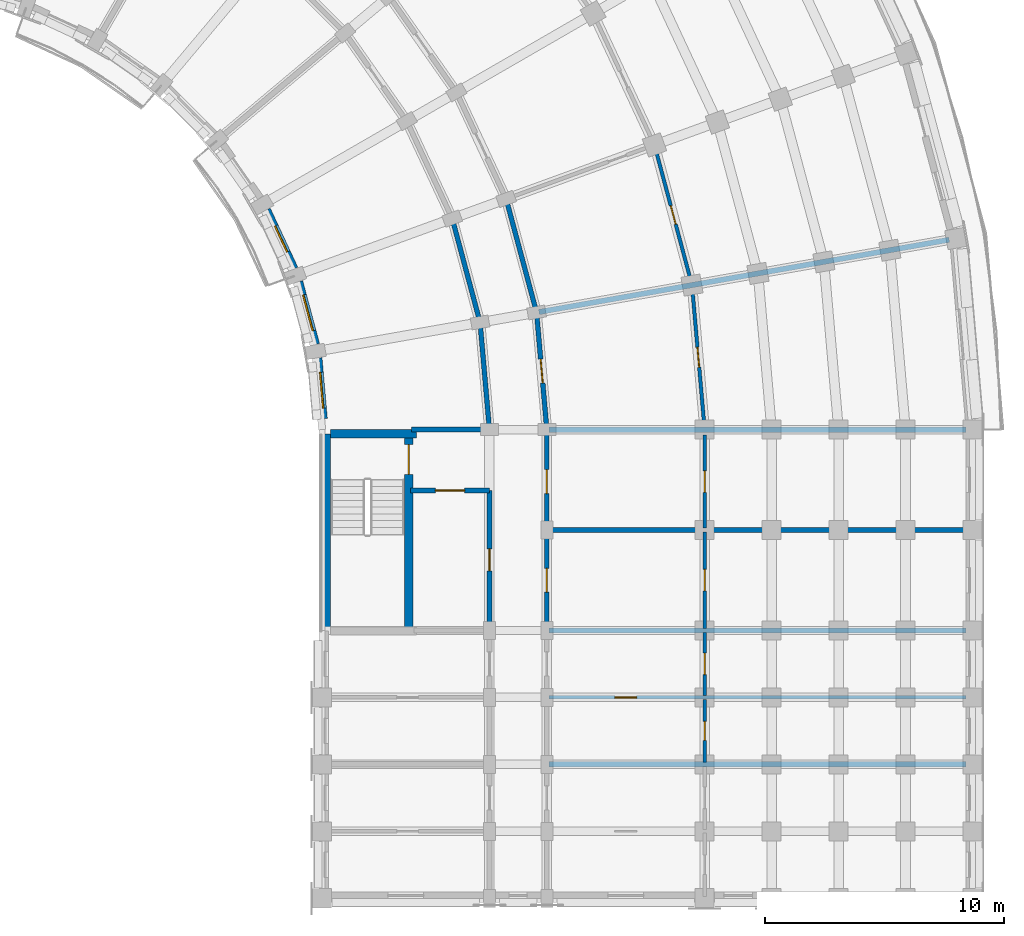
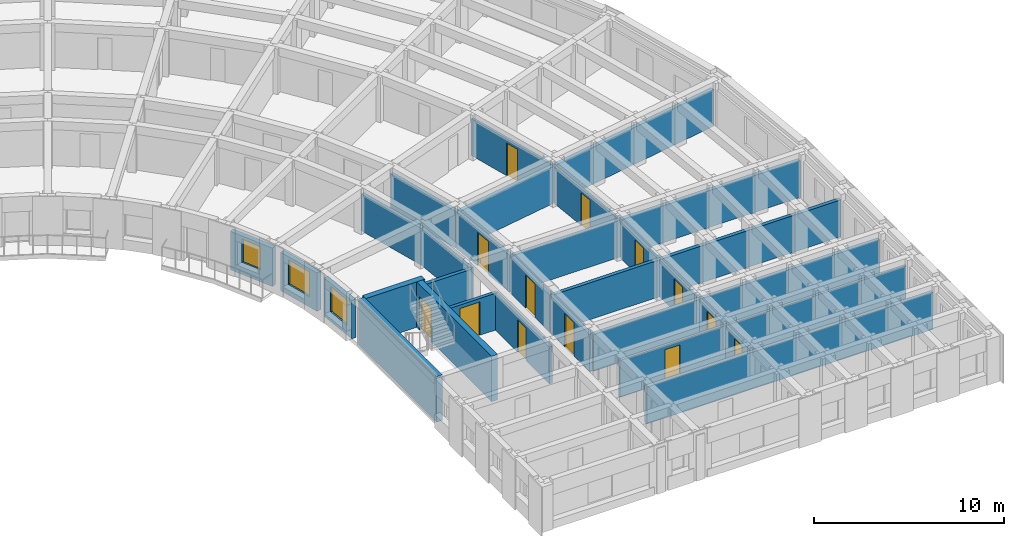
# One storey, part 52 of 76: 27 walls, 13 doors, 3 windows, 16 openings.
"""IFC4 building model written with IfcOpenShell, lengths in metres."""

from ifc_helpers import new_model, si_unit, direction, frame, frame_2d, origin, place, context, subcontext, project, spatial, rectangle, extrude, material, layer, layer_set, type_object, element, fill, save


model = new_model("IFC4")

# Units and contexts
model_context = context("Model", 3, precision=1e-05, world=origin(), true_north=direction((0.0, 1.0)))
body_context = subcontext(model_context, "Body", "Model", "MODEL_VIEW")
ifc_project = project(units=[si_unit("LENGTHUNIT", "METRE"), si_unit("AREAUNIT", "SQUARE_METRE"), si_unit("VOLUMEUNIT", "CUBIC_METRE"), si_unit("PLANEANGLEUNIT", "RADIAN"), si_unit("MASSUNIT", "GRAM", prefix="KILO")], contexts=[model_context])

# Site, building, storey
site_placement = place(None, origin())
site = spatial("IfcSite", under=ifc_project, at=site_placement, CompositionType="ELEMENT")
building_placement = place(site_placement, origin())
building = spatial("IfcBuilding", under=site, at=building_placement, Name="Kiranvali Square Residences", CompositionType="ELEMENT")
storey_placement = place(building_placement, frame((0.0, 0.0, 8.699951171875)))
storey = spatial("IfcBuildingStorey", under=building, at=storey_placement, Name="L02", CompositionType="ELEMENT", Elevation=8.699951171875)

# Wall, opening, door
ifc_material_1 = material(Name="Autoclaved aerated concrete blockwork masonry", Category="masonry")
ifc_layer_1 = layer(ifc_material_1, 0.199951171875)
ifc_layer_set_1 = layer_set([ifc_layer_1], Name="Autoclaved aerated concrete blockwork masonry")
wall_type_1 = type_object("IfcWallType", Name="WL-COR-200", PredefinedType="STANDARD", material=ifc_layer_set_1)
wall_1_placement = place(storey_placement, frame((142.300048828125, 85.25, 0.0), z_axis=(0.0, 0.0, 1.0), x_axis=(1.0, 0.0, 0.0)))
wall_1 = element("IfcWall", 1, at=wall_1_placement, inside=storey, type_object=wall_type_1, Name="L02 architectural wall WL-L02-B-S3-V", PredefinedType="STANDARD", context=body_context, shape_type="SweptSolid", body=[
    extrude(rectangle(XDim=3.300048828125, YDim=0.199951171875, at=frame_2d((1.64990234375, 0.0))), origin(), (0.0, 0.0, 1.0), 2.3720703125),
])
opening_1_placement = place(wall_1_placement, frame((1.0400390625, 0.0, 0.0)))
opening_1 = element("IfcOpeningElement", 2, at=opening_1_placement, cuts=wall_1, Name="Opening FD-COR-60", PredefinedType="OPENING", context=body_context, shape_type="SweptSolid", body=[
    extrude(rectangle(XDim=1.219970703125, YDim=2.14990234375, at=frame_2d((0.60986328125, 1.074951171875))), frame((0.0, 0.10986328125, 0.0), z_axis=(0.0, -1.0, 0.0), x_axis=(1.0, 0.0, 0.0)), (0.0, 0.0, 1.0), 0.219970703125),
])
ifc_material_2 = material(Name="Fire-rated acoustic hardwood and mineral-core door assembly", Category="wood")
door_type_1 = type_object("IfcDoorType", Name="DR-FD60-1200", OperationType="NOTDEFINED", PredefinedType="DOOR", material=ifc_material_2)
door_1_placement = place(opening_1_placement, frame((1.219970703125, 0.0, 0.0), z_axis=(0.0, 0.0, 1.0), x_axis=(-1.0, 0.0, 0.0)))
door_1 = element("IfcDoor", 3, at=door_1_placement, inside=storey, type_object=door_type_1, Name="L02 door DR-L02-1072 (DR-FD60-1200)", OperationType="SINGLE_SWING_RIGHT", OverallHeight=2.14990234375, OverallWidth=1.219970703125, PredefinedType="DOOR", context=body_context, shape_type="SweptSolid", body=[
    extrude(rectangle(XDim=1.219970703125, YDim=2.14990234375, at=frame_2d((0.60986328125, 1.074951171875))), frame((0.0, 0.02490234375, 0.0), z_axis=(0.0, -1.0, 0.0), x_axis=(1.0, 0.0, 0.0)), (0.0, 0.0, 1.0), 0.050048828125),
])
fill(opening_1, door_1)

wall_2_placement = place(storey_placement, frame((145.60009765625, 85.25, 0.0), z_axis=(0.0, 0.0, 1.0), x_axis=(0.0, -1.0, 0.0)))
wall_2 = element("IfcWall", 4, at=wall_2_placement, inside=storey, type_object=wall_type_1, Name="L02 architectural wall WL-L02-B-S3-COR", PredefinedType="STANDARD", context=body_context, shape_type="SweptSolid", body=[
    extrude(rectangle(XDim=5.800048828125, YDim=0.199951171875, at=frame_2d((2.89990234375, 0.0))), origin(), (0.0, 0.0, 1.0), 2.3720703125),
])
opening_2_placement = place(wall_2_placement, frame((2.43994140625, 0.0, 0.0)))
opening_2 = element("IfcOpeningElement", 5, at=opening_2_placement, cuts=wall_2, Name="Opening FD-SVC-120", PredefinedType="OPENING", context=body_context, shape_type="SweptSolid", body=[
    extrude(rectangle(XDim=0.919921875, YDim=2.10009765625, at=frame_2d((0.4599609375, 1.050048828125))), frame((0.0, 0.10986328125, 0.0), z_axis=(0.0, -1.0, 0.0), x_axis=(1.0, 0.0, 0.0)), (0.0, 0.0, 1.0), 0.219970703125),
])
door_type_2 = type_object("IfcDoorType", Name="DR-SVC-900", OperationType="NOTDEFINED", PredefinedType="DOOR", material=ifc_material_2)
door_2_placement = place(opening_2_placement, origin())
door_2 = element("IfcDoor", 6, at=door_2_placement, inside=storey, type_object=door_type_2, Name="L02 door DR-L02-1073 (DR-SVC-900)", OperationType="SINGLE_SWING_LEFT", OverallHeight=2.10009765625, OverallWidth=0.919921875, PredefinedType="DOOR", context=body_context, shape_type="SweptSolid", body=[
    extrude(rectangle(XDim=0.919921875, YDim=2.10009765625, at=frame_2d((0.4599609375, 1.050048828125))), frame((0.0, 0.02490234375, 0.0), z_axis=(0.0, -1.0, 0.0), x_axis=(1.0, 0.0, 0.0)), (0.0, 0.0, 1.0), 0.050048828125),
])
fill(opening_2, door_2)

# Walls
wall_3_placement = place(storey_placement, frame((144.044189453125, 96.6240234375, 0.0), z_axis=(0.0, 0.0, 1.0), x_axis=(0.258787642463, -0.965934240054, 0.0)))
element("IfcWall", 7, at=wall_3_placement, inside=storey, type_object=wall_type_1, Name="L02 architectural wall WL-L02-B-CCI-7", PredefinedType="STANDARD", context=body_context, shape_type="SweptSolid", body=[
    extrude(rectangle(XDim=4.497314453125, YDim=0.199951171875, at=frame_2d((2.24853515625, 0.0))), origin(), (0.0, 0.0, 1.0), 2.3720703125),
])
wall_4_placement = place(storey_placement, frame((146.29931640625, 97.445068359375, 0.0), z_axis=(0.0, 0.0, 1.0), x_axis=(0.258803112091, -0.965930095386, 0.0)))
element("IfcWall", 8, at=wall_4_placement, inside=storey, type_object=wall_type_1, Name="L02 architectural wall WL-L02-B-CCO-7", PredefinedType="STANDARD", context=body_context, shape_type="SweptSolid", body=[
    extrude(rectangle(XDim=4.915771484375, YDim=0.199951171875, at=frame_2d((2.4580078125, 0.0))), origin(), (0.0, 0.0, 1.0), 2.3720703125),
])
wall_5_placement = place(storey_placement, frame((145.2080078125, 92.280029296875, 0.0), z_axis=(0.0, 0.0, 1.0), x_axis=(0.087187153726, -0.996191949488, 0.0)))
element("IfcWall", 9, at=wall_5_placement, inside=storey, type_object=wall_type_1, Name="L02 architectural wall WL-L02-B-CCI-8", PredefinedType="STANDARD", context=body_context, shape_type="SweptSolid", body=[
    extrude(rectangle(XDim=4.4970703125, YDim=0.199951171875, at=frame_2d((2.24853515625, 0.0))), origin(), (0.0, 0.0, 1.0), 2.3720703125),
])

# Wall, opening, door
wall_6_placement = place(storey_placement, frame((147.571533203125, 92.69677734375, 0.0), z_axis=(0.0, 0.0, 1.0), x_axis=(0.087167566415, -0.996193663584, 0.0)))
wall_6 = element("IfcWall", 10, at=wall_6_placement, inside=storey, type_object=wall_type_1, Name="L02 architectural wall WL-L02-B-CCO-8", PredefinedType="STANDARD", context=body_context, shape_type="SweptSolid", body=[
    extrude(rectangle(XDim=4.91552734375, YDim=0.199951171875, at=frame_2d((2.457763671875, 0.0))), origin(), (0.0, 0.0, 1.0), 2.3720703125),
])
opening_3_placement = place(wall_6_placement, frame((1.957763671875, 0.0, 0.0)))
opening_3 = element("IfcOpeningElement", 11, at=opening_3_placement, cuts=wall_6, Name="Opening FD-APT-60", PredefinedType="OPENING", context=body_context, shape_type="SweptSolid", body=[
    extrude(rectangle(XDim=1.0, YDim=2.14990234375, at=frame_2d((0.5, 1.074951171875))), frame((0.0, 0.10986328125, 0.0), z_axis=(0.0, -1.0, 0.0), x_axis=(1.0, 0.0, 0.0)), (0.0, 0.0, 1.0), 0.219970703125),
])
door_type_3 = type_object("IfcDoorType", Name="DR-APT-1000", OperationType="NOTDEFINED", PredefinedType="DOOR", material=ifc_material_2)
door_3_placement = place(opening_3_placement, origin())
door_3 = element("IfcDoor", 12, at=door_3_placement, inside=storey, type_object=door_type_3, Name="L02 door DR-L02-1107 (DR-APT-1000)", OperationType="SINGLE_SWING_LEFT", OverallHeight=2.14990234375, OverallWidth=1.0, PredefinedType="DOOR", context=body_context, shape_type="SweptSolid", body=[
    extrude(rectangle(XDim=1.0, YDim=2.14990234375, at=frame_2d((0.5, 1.074951171875))), frame((0.0, 0.02490234375, 0.0), z_axis=(0.0, -1.0, 0.0), x_axis=(1.0, 0.0, 0.0)), (0.0, 0.0, 1.0), 0.050048828125),
])
fill(opening_3, door_3)

wall_7_placement = place(storey_placement, frame((148.0, 87.64990234375, 0.0), z_axis=(0.0, 0.0, 1.0), x_axis=(0.0, -1.0, 0.0)))
wall_7 = element("IfcWall", 13, at=wall_7_placement, inside=storey, type_object=wall_type_1, Name="L02 architectural wall WL-L02-B-A2CF-C0", PredefinedType="STANDARD", context=body_context, shape_type="SweptSolid", body=[
    extrude(rectangle(XDim=4.0498046875, YDim=0.199951171875, at=frame_2d((2.02490234375, 0.0))), origin(), (0.0, 0.0, 1.0), 2.3720703125),
])
opening_4_placement = place(wall_7_placement, frame((1.52490234375, 0.0, 0.0)))
opening_4 = element("IfcOpeningElement", 14, at=opening_4_placement, cuts=wall_7, Name="Opening FD-APT-60", PredefinedType="OPENING", context=body_context, shape_type="SweptSolid", body=[
    extrude(rectangle(XDim=1.0, YDim=2.14990234375, at=frame_2d((0.5, 1.074951171875))), frame((0.0, 0.10986328125, 0.0), z_axis=(0.0, -1.0, 0.0), x_axis=(1.0, 0.0, 0.0)), (0.0, 0.0, 1.0), 0.219970703125),
])
door_4_placement = place(opening_4_placement, frame((1.0, 0.0, 0.0), z_axis=(0.0, 0.0, 1.0), x_axis=(-1.0, 0.0, 0.0)))
door_4 = element("IfcDoor", 15, at=door_4_placement, inside=storey, type_object=door_type_3, Name="L02 door DR-L02-1112 (DR-APT-1000)", OperationType="SINGLE_SWING_RIGHT", OverallHeight=2.14990234375, OverallWidth=1.0, PredefinedType="DOOR", context=body_context, shape_type="SweptSolid", body=[
    extrude(rectangle(XDim=1.0, YDim=2.14990234375, at=frame_2d((0.5, 1.074951171875))), frame((0.0, 0.02490234375, 0.0), z_axis=(0.0, -1.0, 0.0), x_axis=(1.0, 0.0, 0.0)), (0.0, 0.0, 1.0), 0.050048828125),
])
fill(opening_4, door_4)

wall_8_placement = place(storey_placement, frame((148.0, 83.60009765625, 0.0), z_axis=(0.0, 0.0, 1.0), x_axis=(0.0, -1.0, 0.0)))
wall_8 = element("IfcWall", 16, at=wall_8_placement, inside=storey, type_object=wall_type_1, Name="L02 architectural wall WL-L02-B-A2CF-C1", PredefinedType="STANDARD", context=body_context, shape_type="SweptSolid", body=[
    extrude(rectangle(XDim=4.2001953125, YDim=0.199951171875, at=frame_2d((2.10009765625, 0.0))), origin(), (0.0, 0.0, 1.0), 2.3720703125),
])
opening_5_placement = place(wall_8_placement, frame((1.60009765625, 0.0, 0.0)))
opening_5 = element("IfcOpeningElement", 17, at=opening_5_placement, cuts=wall_8, Name="Opening FD-APT-60", PredefinedType="OPENING", context=body_context, shape_type="SweptSolid", body=[
    extrude(rectangle(XDim=1.0, YDim=2.14990234375, at=frame_2d((0.5, 1.074951171875))), frame((0.0, 0.10986328125, 0.0), z_axis=(0.0, -1.0, 0.0), x_axis=(1.0, 0.0, 0.0)), (0.0, 0.0, 1.0), 0.219970703125),
])
door_5_placement = place(opening_5_placement, frame((1.0, 0.0, 0.0), z_axis=(0.0, 0.0, 1.0), x_axis=(-1.0, 0.0, 0.0)))
door_5 = element("IfcDoor", 18, at=door_5_placement, inside=storey, type_object=door_type_3, Name="L02 door DR-L02-1114 (DR-APT-1000)", OperationType="SINGLE_SWING_RIGHT", OverallHeight=2.14990234375, OverallWidth=1.0, PredefinedType="DOOR", context=body_context, shape_type="SweptSolid", body=[
    extrude(rectangle(XDim=1.0, YDim=2.14990234375, at=frame_2d((0.5, 1.074951171875))), frame((0.0, 0.02490234375, 0.0), z_axis=(0.0, -1.0, 0.0), x_axis=(1.0, 0.0, 0.0)), (0.0, 0.0, 1.0), 0.050048828125),
])
fill(opening_5, door_5)

# Walls
ifc_layer_2 = layer(ifc_material_1, 0.219970703125)
ifc_layer_set_2 = layer_set([ifc_layer_2], Name="Autoclaved aerated concrete blockwork masonry")
wall_type_2 = type_object("IfcWallType", Name="WL-DEM-220", PredefinedType="STANDARD", material=ifc_layer_set_2)
wall_9_placement = place(storey_placement, frame((142.35009765625, 87.800048828125, 0.0), z_axis=(0.0, 0.0, 1.0), x_axis=(1.0, 0.0, 0.0)))
element("IfcWall", 19, at=wall_9_placement, inside=storey, type_object=wall_type_2, Name="L02 architectural wall WL-L02-B-RADI-9", PredefinedType="STANDARD", context=body_context, shape_type="SweptSolid", body=[
    extrude(rectangle(XDim=3.199951171875, YDim=0.219970703125, at=frame_2d((1.60009765625, 0.0))), origin(), (0.0, 0.0, 1.0), 2.3720703125),
])
wall_10_placement = place(storey_placement, frame((148.050048828125, 83.60009765625, 0.0), z_axis=(0.0, 0.0, 1.0), x_axis=(1.0, 0.0, 0.0)))
element("IfcWall", 20, at=wall_10_placement, inside=storey, type_object=wall_type_2, Name="L02 architectural wall WL-L02-B-A2CF-MID", PredefinedType="STANDARD", context=body_context, shape_type="SweptSolid", body=[
    extrude(rectangle(XDim=17.530029296875, YDim=0.219970703125, at=frame_2d((8.76513671875, 0.0))), origin(), (0.0, 0.0, 1.0), 2.3720703125),
])
for number, where, z_axis, x_axis, name in (
    (21, (148.10009765625, 79.39990234375, 0.0), (0.0, 0.0, 1.0), (1.0, 0.0, 0.0), "L02 architectural wall WL-L02-B-A2TO-0"),
    (22, (148.10009765625, 73.800048828125, 0.0), (0.0, 0.0, 1.0), (1.0, 0.0, 0.0), "L02 architectural wall WL-L02-B-A2TO-2"),
):
    element("IfcWall", number, at=place(storey_placement, frame(where, z_axis=z_axis, x_axis=x_axis)), inside=storey, type_object=wall_type_2, Name=name, PredefinedType="STANDARD", context=body_context, shape_type="SweptSolid", body=[
        extrude(rectangle(XDim=17.419921875, YDim=0.219970703125, at=frame_2d((8.7099609375, 0.0))), origin(), (0.0, 0.0, 1.0), 2.3720703125),
    ])
ifc_layer_3 = layer(ifc_material_1, 0.22998046875)
ifc_layer_set_3 = layer_set([ifc_layer_3], Name="Autoclaved aerated concrete blockwork masonry")
wall_type_3 = type_object("IfcWallType", Name="WL-DEM-230", PredefinedType="STANDARD", material=ifc_layer_set_3)
for number, where, z_axis, x_axis, name in (
    (23, (147.670166015625, 92.71435546875, 0.0), (0.0, 0.0, 1.0), (0.984808098809, 0.173646216546, 0.0), "L02 architectural wall WL-L02-B-RADO-8"),
    (24, (148.10009765625, 87.800048828125, 0.0), (0.0, 0.0, 1.0), (1.0, 0.0, 0.0), "L02 architectural wall WL-L02-B-RADO-9"),
):
    element("IfcWall", number, at=place(storey_placement, frame(where, z_axis=z_axis, x_axis=x_axis)), inside=storey, type_object=wall_type_3, Name=name, PredefinedType="STANDARD", context=body_context, shape_type="SweptSolid", body=[
        extrude(rectangle(XDim=17.419921875, YDim=0.22998046875, at=frame_2d((8.7099609375, 0.0))), origin(), (0.0, 0.0, 1.0), 2.3720703125),
    ])

# Wall, opening, window
ifc_material_3 = material(Name="Breathable lime-rendered clay brick masonry", Category="masonry")
ifc_layer_4 = layer(ifc_material_3, 0.27490234375)
ifc_layer_set_4 = layer_set([ifc_layer_4], Name="Breathable lime-rendered clay brick masonry")
wall_type_4 = type_object("IfcWallType", Name="WL-EXT-275", PredefinedType="STANDARD", material=ifc_layer_set_4)
wall_11_placement = place(storey_placement, frame((136.312744140625, 96.999267578125, 0.0), z_axis=(0.0, 0.0, 1.0), x_axis=(0.422610022166, -0.906311629168, 0.0)))
wall_11 = element("IfcWall", 25, at=wall_11_placement, inside=storey, type_object=wall_type_4, Name="L02 exterior wall B-L02-GDN-06", PredefinedType="STANDARD", context=body_context, shape_type="SweptSolid", body=[
    extrude(rectangle(XDim=2.717529296875, YDim=0.27490234375, at=frame_2d((1.35888671875, 0.0))), origin(), (0.0, 0.0, 1.0), 2.47216796875),
])
opening_6_placement = place(wall_11_placement, frame((0.7587890625, 0.0, 0.77197265625)))
opening_6 = element("IfcOpeningElement", 26, at=opening_6_placement, cuts=wall_11, Name="Opening W-06", PredefinedType="OPENING", context=body_context, shape_type="SweptSolid", body=[
    extrude(rectangle(XDim=1.199951171875, YDim=1.5, at=frame_2d((0.60009765625, 0.75))), frame((0.0, 0.1474609375, 0.0), z_axis=(0.0, -1.0, 0.0), x_axis=(1.0, 0.0, 0.0)), (0.0, 0.0, 1.0), 0.294921875),
])
ifc_material_4 = material(Name="Solar-control low-e double glazing", Category="glass")
window_type_1 = type_object("IfcWindowType", Name="WIN-RES-1200x1500", PartitioningType="SINGLE_PANEL", PredefinedType="WINDOW", material=ifc_material_4)
window_1_placement = place(opening_6_placement, origin())
window_1 = element("IfcWindow", 27, at=window_1_placement, inside=storey, type_object=window_type_1, Name="L02 recessed window B-L02-GDN-06", OverallHeight=1.5, OverallWidth=1.199951171875, PartitioningType="SINGLE_PANEL", PredefinedType="WINDOW", context=body_context, shape_type="SweptSolid", body=[
    extrude(rectangle(XDim=1.199951171875, YDim=1.5, at=frame_2d((0.60009765625, 0.75))), frame((0.0, 0.030029296875, 0.0), z_axis=(0.0, -1.0, 0.0), x_axis=(1.0, 0.0, 0.0)), (0.0, 0.0, 1.0), 0.06005859375),
])
fill(opening_6, window_1)

wall_12_placement = place(storey_placement, frame((137.659423828125, 93.9921875, 0.0), z_axis=(0.0, 0.0, 1.0), x_axis=(0.258819907011, -0.965925595341, 0.0)))
wall_12 = element("IfcWall", 28, at=wall_12_placement, inside=storey, type_object=wall_type_4, Name="L02 exterior wall B-L02-GDN-07", PredefinedType="STANDARD", context=body_context, shape_type="SweptSolid", body=[
    extrude(rectangle(XDim=2.717529296875, YDim=0.27490234375, at=frame_2d((1.35888671875, 0.0))), origin(), (0.0, 0.0, 1.0), 2.47216796875),
])
opening_7_placement = place(wall_12_placement, frame((0.583740234375, 0.0, 0.672119140625)))
opening_7 = element("IfcOpeningElement", 29, at=opening_7_placement, cuts=wall_12, Name="Opening W-18", PredefinedType="OPENING", context=body_context, shape_type="SweptSolid", body=[
    extrude(rectangle(XDim=1.550048828125, YDim=1.60009765625, at=frame_2d((0.77490234375, 0.800048828125))), frame((0.0, 0.1474609375, 0.0), z_axis=(0.0, -1.0, 0.0), x_axis=(1.0, 0.0, 0.0)), (0.0, 0.0, 1.0), 0.294921875),
])
window_type_2 = type_object("IfcWindowType", Name="WIN-GDN-1550x1600", PartitioningType="DOUBLE_PANEL_VERTICAL", PredefinedType="WINDOW", material=ifc_material_4)
window_2_placement = place(opening_7_placement, origin())
window_2 = element("IfcWindow", 30, at=window_2_placement, inside=storey, type_object=window_type_2, Name="L02 recessed window B-L02-GDN-07", OverallHeight=1.60009765625, OverallWidth=1.550048828125, PartitioningType="DOUBLE_PANEL_VERTICAL", PredefinedType="WINDOW", context=body_context, shape_type="SweptSolid", body=[
    extrude(rectangle(XDim=1.550048828125, YDim=1.60009765625, at=frame_2d((0.77490234375, 0.800048828125))), frame((0.0, 0.030029296875, 0.0), z_axis=(0.0, -1.0, 0.0), x_axis=(1.0, 0.0, 0.0)), (0.0, 0.0, 1.0), 0.06005859375),
])
fill(opening_7, window_2)

wall_13_placement = place(storey_placement, frame((138.46337890625, 90.796875, 0.0), z_axis=(0.0, 0.0, 1.0), x_axis=(0.08716102895, -0.996194235595, 0.0)))
wall_13 = element("IfcWall", 31, at=wall_13_placement, inside=storey, type_object=wall_type_4, Name="L02 exterior wall B-L02-GDN-08", PredefinedType="STANDARD", context=body_context, shape_type="SweptSolid", body=[
    extrude(rectangle(XDim=2.557373046875, YDim=0.27490234375, at=frame_2d((1.27880859375, 0.0))), origin(), (0.0, 0.0, 1.0), 2.47216796875),
])
opening_8_placement = place(wall_13_placement, frame((0.60888671875, 0.0, 0.6220703125)))
opening_8 = element("IfcOpeningElement", 32, at=opening_8_placement, cuts=wall_13, Name="Opening W-05", PredefinedType="OPENING", context=body_context, shape_type="SweptSolid", body=[
    extrude(rectangle(XDim=1.5, YDim=1.64990234375, at=frame_2d((0.75, 0.824951171875))), frame((0.0, 0.1474609375, 0.0), z_axis=(0.0, -1.0, 0.0), x_axis=(1.0, 0.0, 0.0)), (0.0, 0.0, 1.0), 0.294921875),
])
window_type_3 = type_object("IfcWindowType", Name="WIN-RES-1500x1650", PartitioningType="DOUBLE_PANEL_VERTICAL", PredefinedType="WINDOW", material=ifc_material_4)
window_3_placement = place(opening_8_placement, origin())
window_3 = element("IfcWindow", 33, at=window_3_placement, inside=storey, type_object=window_type_3, Name="L02 recessed window B-L02-GDN-08", OverallHeight=1.64990234375, OverallWidth=1.5, PartitioningType="DOUBLE_PANEL_VERTICAL", PredefinedType="WINDOW", context=body_context, shape_type="SweptSolid", body=[
    extrude(rectangle(XDim=1.5, YDim=1.64990234375, at=frame_2d((0.75, 0.824951171875))), frame((0.0, 0.030029296875, 0.0), z_axis=(0.0, -1.0, 0.0), x_axis=(1.0, 0.0, 0.0)), (0.0, 0.0, 1.0), 0.06005859375),
])
fill(opening_8, window_3)

# Wall, opening, door
ifc_material_5 = material(Name="Acoustic gypsum board drylined partition", Category="gypsum")
ifc_layer_5 = layer(ifc_material_5, 0.14990234375)
ifc_layer_set_5 = layer_set([ifc_layer_5], Name="Acoustic gypsum board drylined partition")
wall_type_5 = type_object("IfcWallType", Name="WL-PRT-150", PredefinedType="PARTITIONING", material=ifc_layer_set_5)
wall_14_placement = place(storey_placement, frame((154.60009765625, 87.570068359375, 0.0), z_axis=(0.0, 0.0, 1.0), x_axis=(0.0, -1.0, 0.0)))
wall_14 = element("IfcWall", 34, at=wall_14_placement, inside=storey, type_object=wall_type_5, Name="L02 architectural wall WL-L02-B-A2CF-SP0", PredefinedType="PARTITIONING", context=body_context, shape_type="SweptSolid", body=[
    extrude(rectangle(XDim=3.89013671875, YDim=0.14990234375, at=frame_2d((1.945068359375, 0.0))), origin(), (0.0, 0.0, 1.0), 2.3720703125),
])
opening_9_placement = place(wall_14_placement, frame((1.4951171875, 0.0, 0.0)))
opening_9 = element("IfcOpeningElement", 35, at=opening_9_placement, cuts=wall_14, Name="Opening ID-1", PredefinedType="OPENING", context=body_context, shape_type="SweptSolid", body=[
    extrude(rectangle(XDim=0.89990234375, YDim=2.10009765625, at=frame_2d((0.449951171875, 1.050048828125))), frame((0.0, 0.0849609375, 0.0), z_axis=(0.0, -1.0, 0.0), x_axis=(1.0, 0.0, 0.0)), (0.0, 0.0, 1.0), 0.169921875),
])
ifc_material_6 = material(Name="Solid seasoned teak hardwood joinery", Category="wood")
door_type_4 = type_object("IfcDoorType", Name="DR-INT-900", OperationType="NOTDEFINED", PredefinedType="DOOR", material=ifc_material_6)
door_6_placement = place(opening_9_placement, origin())
door_6 = element("IfcDoor", 36, at=door_6_placement, inside=storey, type_object=door_type_4, Name="L02 door DR-L02-1113 (DR-INT-900)", OperationType="SINGLE_SWING_LEFT", OverallHeight=2.10009765625, OverallWidth=0.89990234375, PredefinedType="DOOR", context=body_context, shape_type="SweptSolid", body=[
    extrude(rectangle(XDim=0.89990234375, YDim=2.10009765625, at=frame_2d((0.449951171875, 1.050048828125))), frame((0.0, 0.02490234375, 0.0), z_axis=(0.0, -1.0, 0.0), x_axis=(1.0, 0.0, 0.0)), (0.0, 0.0, 1.0), 0.050048828125),
])
fill(opening_9, door_6)

wall_15_placement = place(storey_placement, frame((154.60009765625, 83.52001953125, 0.0), z_axis=(0.0, 0.0, 1.0), x_axis=(0.0, -1.0, 0.0)))
wall_15 = element("IfcWall", 37, at=wall_15_placement, inside=storey, type_object=wall_type_5, Name="L02 architectural wall WL-L02-B-A2CF-SP1", PredefinedType="PARTITIONING", context=body_context, shape_type="SweptSolid", body=[
    extrude(rectangle(XDim=4.0400390625, YDim=0.14990234375, at=frame_2d((2.02001953125, 0.0))), origin(), (0.0, 0.0, 1.0), 2.3720703125),
])
opening_10_placement = place(wall_15_placement, frame((1.570068359375, 0.0, 0.0)))
opening_10 = element("IfcOpeningElement", 38, at=opening_10_placement, cuts=wall_15, Name="Opening ID-1", PredefinedType="OPENING", context=body_context, shape_type="SweptSolid", body=[
    extrude(rectangle(XDim=0.89990234375, YDim=2.10009765625, at=frame_2d((0.449951171875, 1.050048828125))), frame((0.0, 0.0849609375, 0.0), z_axis=(0.0, -1.0, 0.0), x_axis=(1.0, 0.0, 0.0)), (0.0, 0.0, 1.0), 0.169921875),
])
door_7_placement = place(opening_10_placement, origin())
door_7 = element("IfcDoor", 39, at=door_7_placement, inside=storey, type_object=door_type_4, Name="L02 door DR-L02-1115 (DR-INT-900)", OperationType="SINGLE_SWING_LEFT", OverallHeight=2.10009765625, OverallWidth=0.89990234375, PredefinedType="DOOR", context=body_context, shape_type="SweptSolid", body=[
    extrude(rectangle(XDim=0.89990234375, YDim=2.10009765625, at=frame_2d((0.449951171875, 1.050048828125))), frame((0.0, 0.02490234375, 0.0), z_axis=(0.0, -1.0, 0.0), x_axis=(1.0, 0.0, 0.0)), (0.0, 0.0, 1.0), 0.050048828125),
])
fill(opening_10, door_7)

wall_16_placement = place(storey_placement, frame((148.10009765625, 76.60009765625, 0.0), z_axis=(0.0, 0.0, 1.0), x_axis=(1.0, 0.0, 0.0)))
wall_16 = element("IfcWall", 40, at=wall_16_placement, inside=storey, type_object=wall_type_5, Name="L02 architectural wall WL-L02-B-A2TO-1", PredefinedType="PARTITIONING", context=body_context, shape_type="SweptSolid", body=[
    extrude(rectangle(XDim=17.419921875, YDim=0.14990234375, at=frame_2d((8.7099609375, 0.0))), origin(), (0.0, 0.0, 1.0), 2.3720703125),
])
opening_11_placement = place(wall_16_placement, frame((2.75, 0.0, 0.0)))
opening_11 = element("IfcOpeningElement", 41, at=opening_11_placement, cuts=wall_16, Name="Opening ID-1", PredefinedType="OPENING", context=body_context, shape_type="SweptSolid", body=[
    extrude(rectangle(XDim=0.89990234375, YDim=2.10009765625, at=frame_2d((0.449951171875, 1.050048828125))), frame((0.0, 0.0849609375, 0.0), z_axis=(0.0, -1.0, 0.0), x_axis=(1.0, 0.0, 0.0)), (0.0, 0.0, 1.0), 0.169921875),
])
door_8_placement = place(opening_11_placement, origin())
door_8 = element("IfcDoor", 42, at=door_8_placement, inside=storey, type_object=door_type_4, Name="L02 door DR-L02-1121 (DR-INT-900)", OperationType="SINGLE_SWING_LEFT", OverallHeight=2.10009765625, OverallWidth=0.89990234375, PredefinedType="DOOR", context=body_context, shape_type="SweptSolid", body=[
    extrude(rectangle(XDim=0.89990234375, YDim=2.10009765625, at=frame_2d((0.449951171875, 1.050048828125))), frame((0.0, 0.02490234375, 0.0), z_axis=(0.0, -1.0, 0.0), x_axis=(1.0, 0.0, 0.0)), (0.0, 0.0, 1.0), 0.050048828125),
])
fill(opening_11, door_8)

# Wall
ifc_material_7 = material(Name="Concrete M50 (50 MPa)", Category="concrete")
ifc_layer_6 = layer(ifc_material_7, 0.35009765625)
ifc_layer_set_6 = layer_set([ifc_layer_6], Name="Concrete M50 (50 MPa)")
wall_type_6 = type_object("IfcWallType", Name="WL-SHR-350", PredefinedType="SHEAR", material=ifc_layer_set_6)
wall_17_placement = place(storey_placement, frame((138.77490234375, 87.625, 0.0), z_axis=(0.0, 0.0, 1.0), x_axis=(0.0, -1.0, 0.0)))
element("IfcWall", 43, at=wall_17_placement, inside=storey, type_object=wall_type_6, Name="Block B core shear wall SW-B3-OUT-L02", PredefinedType="SHEAR", context=body_context, shape_type="SweptSolid", body=[
    extrude(rectangle(XDim=8.25, YDim=0.35009765625, at=frame_2d((4.125, 0.0))), origin(), (0.0, 0.0, 1.0), 2.929931640625),
])

# Wall, opening, door
wall_18_placement = place(storey_placement, frame((142.22509765625, 87.449951171875, 0.0), z_axis=(0.0, 0.0, 1.0), x_axis=(0.0, -1.0, 0.0)))
wall_18 = element("IfcWall", 44, at=wall_18_placement, inside=storey, type_object=wall_type_6, Name="Block B core shear wall SW-B3-IN-L02", PredefinedType="SHEAR", context=body_context, shape_type="SweptSolid", body=[
    extrude(rectangle(XDim=7.89990234375, YDim=0.35009765625, at=frame_2d((3.949951171875, 0.0))), origin(), (0.0, 0.0, 1.0), 2.929931640625),
])
opening_12_placement = place(wall_18_placement, frame((0.280029296875, 0.0, 0.0)))
opening_12 = element("IfcOpeningElement", 45, at=opening_12_placement, cuts=wall_18, Name="Opening FD-ST-120", PredefinedType="OPENING", context=body_context, shape_type="SweptSolid", body=[
    extrude(rectangle(XDim=1.239990234375, YDim=2.14990234375, at=frame_2d((0.6201171875, 1.074951171875))), frame((0.0, 0.18505859375, 0.0), z_axis=(0.0, -1.0, 0.0), x_axis=(1.0, 0.0, 0.0)), (0.0, 0.0, 1.0), 0.3701171875),
])
door_type_5 = type_object("IfcDoorType", Name="DR-FD120-1200", OperationType="NOTDEFINED", PredefinedType="DOOR", material=ifc_material_2)
door_9_placement = place(opening_12_placement, frame((1.239990234375, 0.0, 0.0), z_axis=(0.0, 0.0, 1.0), x_axis=(-1.0, 0.0, 0.0)))
door_9 = element("IfcDoor", 46, at=door_9_placement, inside=storey, type_object=door_type_5, Name="L02 door DR-L02-1068 (DR-FD120-1200)", OperationType="SINGLE_SWING_RIGHT", OverallHeight=2.14990234375, OverallWidth=1.239990234375, PredefinedType="DOOR", context=body_context, shape_type="SweptSolid", body=[
    extrude(rectangle(XDim=1.239990234375, YDim=2.14990234375, at=frame_2d((0.6201171875, 1.074951171875))), frame((0.0, 0.02490234375, 0.0), z_axis=(0.0, -1.0, 0.0), x_axis=(1.0, 0.0, 0.0)), (0.0, 0.0, 1.0), 0.050048828125),
])
fill(opening_12, door_9)

# Wall
wall_19_placement = place(storey_placement, frame((138.949951171875, 87.625, 0.0), z_axis=(0.0, 0.0, 1.0), x_axis=(1.0, 0.0, 0.0)))
element("IfcWall", 47, at=wall_19_placement, inside=storey, type_object=wall_type_6, Name="Block B core shear wall SW-B3-NEAR-L02", PredefinedType="SHEAR", context=body_context, shape_type="SweptSolid", body=[
    extrude(rectangle(XDim=3.60009765625, YDim=0.35009765625, at=frame_2d((1.800048828125, 0.0))), origin(), (0.0, 0.0, 1.0), 2.929931640625),
])

# Wall, opening, door
ifc_layer_7 = layer(ifc_material_1, 0.14990234375)
ifc_layer_set_7 = layer_set([ifc_layer_7], Name="Autoclaved aerated concrete blockwork masonry")
wall_type_7 = type_object("IfcWallType", Name="WL-WET-150", PredefinedType="PLUMBINGWALL", material=ifc_layer_set_7)
wall_20_placement = place(storey_placement, frame((152.501220703125, 99.702392578125, 0.0), z_axis=(0.0, 0.0, 1.0), x_axis=(0.258827283048, -0.965923618901, 0.0)))
wall_20 = element("IfcWall", 48, at=wall_20_placement, inside=storey, type_object=wall_type_7, Name="L02 architectural wall WL-L02-B-CWET-7", PredefinedType="PLUMBINGWALL", context=body_context, shape_type="SweptSolid", body=[
    extrude(rectangle(XDim=6.066162109375, YDim=0.14990234375, at=frame_2d((3.033203125, 0.0))), origin(), (0.0, 0.0, 1.0), 2.3720703125),
])
opening_13_placement = place(wall_20_placement, frame((2.633056640625, 0.0, 0.0)))
opening_13 = element("IfcOpeningElement", 49, at=opening_13_placement, cuts=wall_20, Name="Opening ID-WET", PredefinedType="OPENING", context=body_context, shape_type="SweptSolid", body=[
    extrude(rectangle(XDim=0.800048828125, YDim=2.10009765625, at=frame_2d((0.39990234375, 1.050048828125))), frame((0.0, 0.0849609375, 0.0), z_axis=(0.0, -1.0, 0.0), x_axis=(1.0, 0.0, 0.0)), (0.0, 0.0, 1.0), 0.169921875),
])
door_type_6 = type_object("IfcDoorType", Name="DR-WET-800", OperationType="NOTDEFINED", PredefinedType="DOOR", material=ifc_material_6)
door_10_placement = place(opening_13_placement, frame((0.800048828125, 0.0, 0.0), z_axis=(0.0, 0.0, 1.0), x_axis=(-1.0, 0.0, 0.0)))
door_10 = element("IfcDoor", 50, at=door_10_placement, inside=storey, type_object=door_type_6, Name="L02 door DR-L02-1106 (DR-WET-800)", OperationType="SINGLE_SWING_RIGHT", OverallHeight=2.10009765625, OverallWidth=0.800048828125, PredefinedType="DOOR", context=body_context, shape_type="SweptSolid", body=[
    extrude(rectangle(XDim=0.800048828125, YDim=2.10009765625, at=frame_2d((0.39990234375, 1.050048828125))), frame((0.0, 0.02490234375, 0.0), z_axis=(0.0, -1.0, 0.0), x_axis=(1.0, 0.0, 0.0)), (0.0, 0.0, 1.0), 0.050048828125),
])
fill(opening_13, door_10)

wall_21_placement = place(storey_placement, frame((154.0712890625, 93.843017578125, 0.0), z_axis=(0.0, 0.0, 1.0), x_axis=(0.087174938512, -0.996193018494, 0.0)))
wall_21 = element("IfcWall", 51, at=wall_21_placement, inside=storey, type_object=wall_type_7, Name="L02 architectural wall WL-L02-B-CWET-8", PredefinedType="PLUMBINGWALL", context=body_context, shape_type="SweptSolid", body=[
    extrude(rectangle(XDim=6.066162109375, YDim=0.14990234375, at=frame_2d((3.033203125, 0.0))), origin(), (0.0, 0.0, 1.0), 2.3720703125),
])
opening_14_placement = place(wall_21_placement, frame((2.613037109375, 0.0, 0.0)))
opening_14 = element("IfcOpeningElement", 52, at=opening_14_placement, cuts=wall_21, Name="Opening ID-WET2", PredefinedType="OPENING", context=body_context, shape_type="SweptSolid", body=[
    extrude(rectangle(XDim=0.840087890625, YDim=2.10009765625, at=frame_2d((0.419921875, 1.050048828125))), frame((0.0, 0.0849609375, 0.0), z_axis=(0.0, -1.0, 0.0), x_axis=(1.0, 0.0, 0.0)), (0.0, 0.0, 1.0), 0.169921875),
])
door_type_7 = type_object("IfcDoorType", Name="DR-WET-840", OperationType="NOTDEFINED", PredefinedType="DOOR", material=ifc_material_6)
door_11_placement = place(opening_14_placement, frame((0.840087890625, 0.0, 0.0), z_axis=(0.0, 0.0, 1.0), x_axis=(-1.0, 0.0, 0.0)))
door_11 = element("IfcDoor", 53, at=door_11_placement, inside=storey, type_object=door_type_7, Name="L02 door DR-L02-1108 (DR-WET-840)", OperationType="SINGLE_SWING_RIGHT", OverallHeight=2.10009765625, OverallWidth=0.840087890625, PredefinedType="DOOR", context=body_context, shape_type="SweptSolid", body=[
    extrude(rectangle(XDim=0.840087890625, YDim=2.10009765625, at=frame_2d((0.419921875, 1.050048828125))), frame((0.0, 0.02490234375, 0.0), z_axis=(0.0, -1.0, 0.0), x_axis=(1.0, 0.0, 0.0)), (0.0, 0.0, 1.0), 0.050048828125),
])
fill(opening_14, door_11)

wall_22_placement = place(storey_placement, frame((154.60009765625, 79.320068359375, 0.0), z_axis=(0.0, 0.0, 1.0), x_axis=(0.0, -1.0, 0.0)))
wall_22 = element("IfcWall", 54, at=wall_22_placement, inside=storey, type_object=wall_type_7, Name="L02 architectural wall WL-L02-B-A2SP-0", PredefinedType="PLUMBINGWALL", context=body_context, shape_type="SweptSolid", body=[
    extrude(rectangle(XDim=2.64013671875, YDim=0.14990234375, at=frame_2d((1.320068359375, 0.0))), origin(), (0.0, 0.0, 1.0), 2.3720703125),
])
opening_15_placement = place(wall_22_placement, frame((0.8701171875, 0.0, 0.0)))
opening_15 = element("IfcOpeningElement", 55, at=opening_15_placement, cuts=wall_22, Name="Opening ID-1", PredefinedType="OPENING", context=body_context, shape_type="SweptSolid", body=[
    extrude(rectangle(XDim=0.89990234375, YDim=2.10009765625, at=frame_2d((0.449951171875, 1.050048828125))), frame((0.0, 0.0849609375, 0.0), z_axis=(0.0, -1.0, 0.0), x_axis=(1.0, 0.0, 0.0)), (0.0, 0.0, 1.0), 0.169921875),
])
door_12_placement = place(opening_15_placement, origin())
door_12 = element("IfcDoor", 56, at=door_12_placement, inside=storey, type_object=door_type_4, Name="L02 door DR-L02-1117 (DR-INT-900)", OperationType="SINGLE_SWING_LEFT", OverallHeight=2.10009765625, OverallWidth=0.89990234375, PredefinedType="DOOR", context=body_context, shape_type="SweptSolid", body=[
    extrude(rectangle(XDim=0.89990234375, YDim=2.10009765625, at=frame_2d((0.449951171875, 1.050048828125))), frame((0.0, 0.02490234375, 0.0), z_axis=(0.0, -1.0, 0.0), x_axis=(1.0, 0.0, 0.0)), (0.0, 0.0, 1.0), 0.050048828125),
])
fill(opening_15, door_12)

wall_23_placement = place(storey_placement, frame((154.60009765625, 76.52001953125, 0.0), z_axis=(0.0, 0.0, 1.0), x_axis=(0.0, -1.0, 0.0)))
wall_23 = element("IfcWall", 57, at=wall_23_placement, inside=storey, type_object=wall_type_7, Name="L02 architectural wall WL-L02-B-A2SP-1", PredefinedType="PLUMBINGWALL", context=body_context, shape_type="SweptSolid", body=[
    extrude(rectangle(XDim=2.64013671875, YDim=0.14990234375, at=frame_2d((1.320068359375, 0.0))), origin(), (0.0, 0.0, 1.0), 2.3720703125),
])
opening_16_placement = place(wall_23_placement, frame((0.919921875, 0.0, 0.0)))
opening_16 = element("IfcOpeningElement", 58, at=opening_16_placement, cuts=wall_23, Name="Opening ID-WET", PredefinedType="OPENING", context=body_context, shape_type="SweptSolid", body=[
    extrude(rectangle(XDim=0.800048828125, YDim=2.10009765625, at=frame_2d((0.39990234375, 1.050048828125))), frame((0.0, 0.0849609375, 0.0), z_axis=(0.0, -1.0, 0.0), x_axis=(1.0, 0.0, 0.0)), (0.0, 0.0, 1.0), 0.169921875),
])
door_13_placement = place(opening_16_placement, origin())
door_13 = element("IfcDoor", 59, at=door_13_placement, inside=storey, type_object=door_type_6, Name="L02 door DR-L02-1119 (DR-WET-800)", OperationType="SINGLE_SWING_LEFT", OverallHeight=2.10009765625, OverallWidth=0.800048828125, PredefinedType="DOOR", context=body_context, shape_type="SweptSolid", body=[
    extrude(rectangle(XDim=0.800048828125, YDim=2.10009765625, at=frame_2d((0.39990234375, 1.050048828125))), frame((0.0, 0.02490234375, 0.0), z_axis=(0.0, -1.0, 0.0), x_axis=(1.0, 0.0, 0.0)), (0.0, 0.0, 1.0), 0.050048828125),
])
fill(opening_16, door_13)

save(model, "model.ifc")
